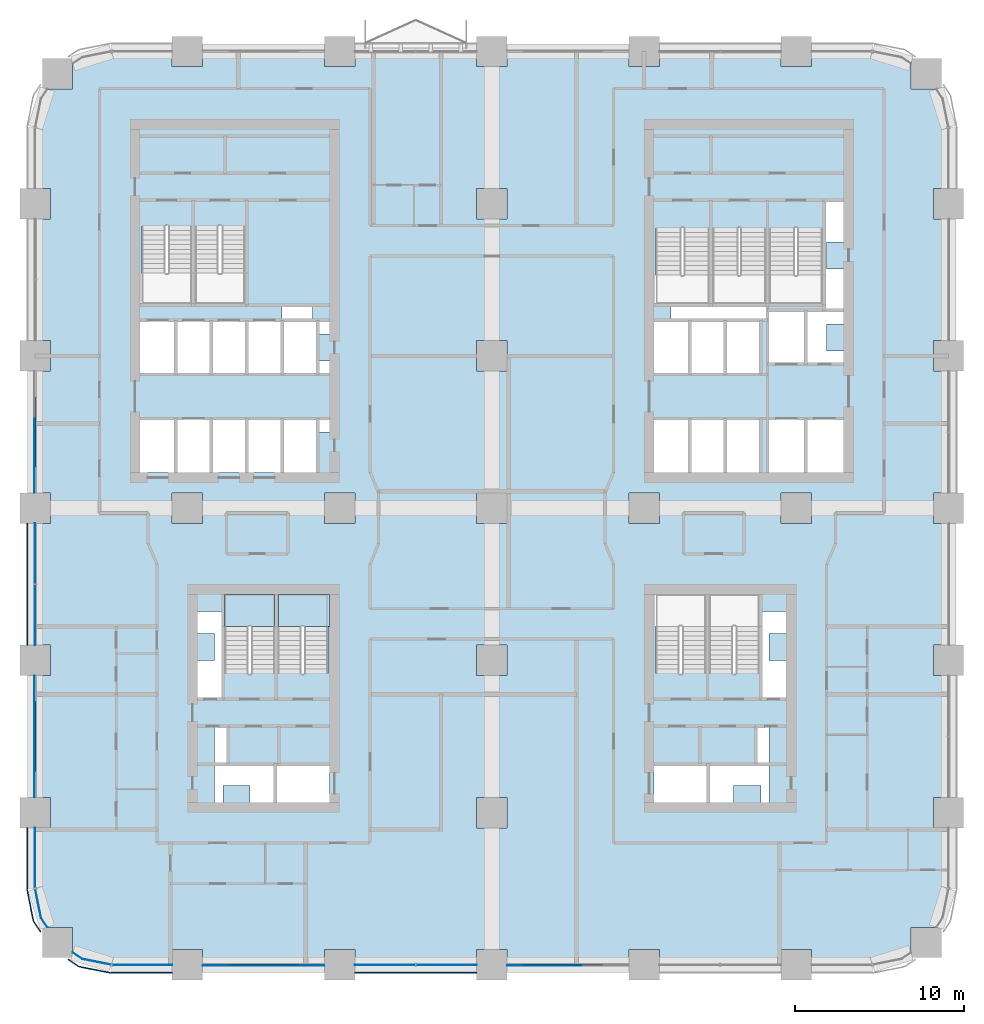
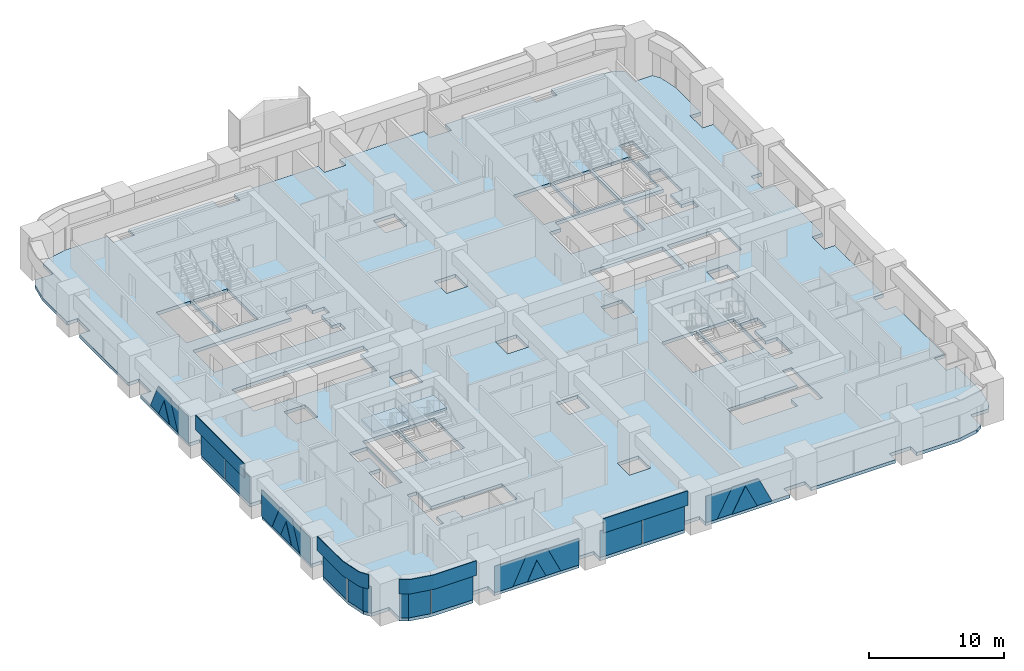
# One storey, part 10 of 23: 26 plates, 3 slabs, 10 elements without a shape of their own.
"""IFC4 building model written with IfcOpenShell, lengths in metres."""

import ifcopenshell
import ifcopenshell.guid

model = None  # the IFC model being written
_history = None  # IfcOwnerHistory: only IFC2X3 demands one
_inside = {}  # id of a spatial element -> (the spatial element, [elements in it])
_under = {}  # id of a project, library or spatial element -> (it, [spatial elements below it])
_declared = {}  # id of a project -> (the project, [libraries it declares])
_typed = {}  # id of a type object -> (the type object, [elements of that type])
_made_of = {}  # id of a material, layer set ... -> (it, [elements and type objects made of it])


def new_model(schema):
    """Start an empty IFC model of exactly this schema.

    Asked for "IFC4X3", IfcOpenShell would pick the latest addendum, in which some entities
    have other attributes; the version numbers below select the first issue.
    IFC2X3 requires an IfcOwnerHistory on every rooted entity: one is made here for all.
    """
    global model, _history
    if schema == "IFC4X3":
        model = ifcopenshell.file(schema_version=(4, 3, 0, 0))
    else:
        model = ifcopenshell.file(schema=schema)
    _inside.clear()
    _under.clear()
    _declared.clear()
    _typed.clear()
    _made_of.clear()
    _history = None
    if model.schema == "IFC2X3":
        org = make("IfcOrganization", Name="unknown")
        user = make(
            "IfcPersonAndOrganization",
            ThePerson=make("IfcPerson", FamilyName="unknown"),
            TheOrganization=org,
        )
        app = make(
            "IfcApplication",
            ApplicationDeveloper=org,
            Version="unknown",
            ApplicationFullName="unknown",
            ApplicationIdentifier="unknown",
        )
        _history = make(
            "IfcOwnerHistory",
            OwningUser=user,
            OwningApplication=app,
            ChangeAction="ADDED",
            CreationDate=0,
        )
    return model


def make(cls, **values):
    """One entity of the class cls with the attributes given. An attribute that is None is left unset."""
    return model.create_entity(
        cls, **{name: value for name, value in values.items() if value is not None}
    )


def rooted(cls, **values):
    """An entity with a GlobalId (a new one), such as an element, a storey or a relation."""
    return make(cls, GlobalId=ifcopenshell.guid.new(), OwnerHistory=_history, **values)


def si_unit(unit_type, name, prefix=None):
    """IfcSIUnit, for example si_unit("LENGTHUNIT", "METRE", prefix="MILLI")."""
    return make("IfcSIUnit", UnitType=unit_type, Prefix=prefix, Name=name)


def assignment(units):
    """IfcUnitAssignment: the units of a project."""
    return None if units is None else make("IfcUnitAssignment", Units=units)


def point(xyz):
    """IfcCartesianPoint."""
    return None if xyz is None else make("IfcCartesianPoint", Coordinates=xyz)


def direction(xyz):
    """IfcDirection."""
    return None if xyz is None else make("IfcDirection", DirectionRatios=xyz)


def frame(location, z_axis=None, x_axis=None):
    """IfcAxis2Placement3D, a coordinate frame: its origin and axes. An axis left out is left unset."""
    return make(
        "IfcAxis2Placement3D",
        Location=point(location),
        Axis=direction(z_axis),
        RefDirection=direction(x_axis),
    )


def frame_2d(location, x_axis=None):
    """IfcAxis2Placement2D, a coordinate frame in the plane: its origin and x axis."""
    return make(
        "IfcAxis2Placement2D", Location=point(location), RefDirection=direction(x_axis)
    )


def origin():
    """The frame at (0, 0, 0) with its axes left unset."""
    return frame((0.0, 0.0, 0.0))


def origin_2d():
    """The frame at (0, 0) in the plane with its x axis left unset."""
    return frame_2d((0.0, 0.0))


def place(relative_to, where):
    """IfcLocalPlacement: puts the frame where relative to a parent placement (None: the world)."""
    return make(
        "IfcLocalPlacement", PlacementRelTo=relative_to, RelativePlacement=where
    )


def context(
    kind, dimensions, precision=None, world=None, true_north=None, identifier=None
):
    """IfcGeometricRepresentationContext, for example the 3D "Model" context."""
    return make(
        "IfcGeometricRepresentationContext",
        ContextIdentifier=identifier,
        ContextType=kind,
        CoordinateSpaceDimension=dimensions,
        Precision=precision,
        WorldCoordinateSystem=world,
        TrueNorth=true_north,
    )


def subcontext(parent, identifier, kind, view, scale=None):
    """IfcGeometricRepresentationSubContext, for example "Body" below "Model"."""
    return make(
        "IfcGeometricRepresentationSubContext",
        ContextIdentifier=identifier,
        ContextType=kind,
        ParentContext=parent,
        TargetScale=scale,
        TargetView=view,
    )


def project(units=None, contexts=None):
    """IfcProject with its units and contexts."""
    return rooted(
        "IfcProject",
        Name="project",
        RepresentationContexts=contexts,
        UnitsInContext=assignment(units),
    )


def spatial(cls, under=None, at=None, **own):
    """A site, building, storey or space (cls), placed at a placement, below another one or the project."""
    s = rooted(cls, ObjectPlacement=at, **own)
    if under is not None:
        _under.setdefault(under.id(), (under, []))[1].append(s)
    return s


def polyline(points):
    """IfcPolyline through the points."""
    return make("IfcPolyline", Points=[point(p) for p in points])


def profile(cls, at=None, kind="AREA", **sizes):
    """A parametric profile (cls). Its sizes go by their IFC names, for example OverallWidth=200.0."""
    return make(cls, ProfileType=kind, Position=at, **sizes)


def rectangle(**sizes):
    """IfcRectangleProfileDef."""
    return profile("IfcRectangleProfileDef", **sizes)


def outline(outer, holes=None, kind="AREA"):
    """IfcArbitraryClosedProfileDef: a profile drawn as a closed curve; with holes, ...WithVoids."""
    if holes is None:
        return make("IfcArbitraryClosedProfileDef", ProfileType=kind, OuterCurve=outer)
    return make(
        "IfcArbitraryProfileDefWithVoids",
        ProfileType=kind,
        OuterCurve=outer,
        InnerCurves=holes,
    )


def extrude(swept, where, along, depth):
    """IfcExtrudedAreaSolid: the profile swept, set in the frame where, extruded along a direction by depth."""
    return make(
        "IfcExtrudedAreaSolid",
        SweptArea=swept,
        Position=where,
        ExtrudedDirection=direction(along),
        Depth=depth,
    )


def shape(context_of_items, identifier, shape_type, items):
    """IfcShapeRepresentation: the items that make up one representation, for example the "Body"."""
    return make(
        "IfcShapeRepresentation",
        ContextOfItems=context_of_items,
        RepresentationIdentifier=identifier,
        RepresentationType=shape_type,
        Items=items,
    )


def material(Name=None, Category=None):
    """IfcMaterial."""
    return make("IfcMaterial", Name=Name, Category=Category)


def layer(
    of_material, thickness, ventilated=None, Name=None, Category=None, Priority=None
):
    """IfcMaterialLayer: one layer of a wall or slab, of a material (None: an air gap)."""
    return make(
        "IfcMaterialLayer",
        Material=of_material,
        LayerThickness=thickness,
        IsVentilated=ventilated,
        Name=Name,
        Category=Category,
        Priority=Priority,
    )


def layer_set(layers, Name=None):
    """IfcMaterialLayerSet."""
    return make("IfcMaterialLayerSet", MaterialLayers=layers, LayerSetName=Name)


def made_of(thing, what):
    """Note that an element or type object is made of a material, layer set ...; save() writes the relation."""
    if what is not None:
        _made_of.setdefault(what.id(), (what, []))[1].append(thing)
    return thing


def type_object(cls, material=None, **own):
    """A type object (cls), such as IfcWallType, which elements share."""
    return made_of(rooted(cls, **own), material)


def element(
    cls,
    number,
    at=None,
    inside=None,
    cuts=None,
    type_object=None,
    material=None,
    context=None,
    identifier="Body",
    shape_type=None,
    held_by="IfcProductDefinitionShape",
    body=None,
    shapes=None,
    **own,
):
    """One element of the class cls, such as IfcWall. Its Tag is "e" and its number.

    at: its placement. inside: the storey or other place that contains it. cuts: it is an
    opening in that element (IfcRelVoidsElement). A single representation is given by context,
    identifier, shape_type and body (its items); several are given by shapes. held_by: the class
    of the entity that holds the representations. save() writes the other relations.
    """
    e = rooted(cls, Tag="e%d" % number, ObjectPlacement=at, **own)
    if body is not None:
        shapes = [shape(context, identifier, shape_type, body)]
    if shapes is not None:
        e.Representation = make(held_by, Representations=shapes)
    if inside is not None:
        _inside.setdefault(inside.id(), (inside, []))[1].append(e)
    if cuts is not None:
        rooted(
            "IfcRelVoidsElement", RelatingBuildingElement=cuts, RelatedOpeningElement=e
        )
    if type_object is not None:
        _typed.setdefault(type_object.id(), (type_object, []))[1].append(e)
    return made_of(e, material)


def aggregate(whole, parts):
    """IfcRelAggregates: a whole, such as a stair, and the parts it consists of."""
    return rooted("IfcRelAggregates", RelatingObject=whole, RelatedObjects=parts)


def save(model, path):
    """Write the relations noted so far, then the file.

    IfcRelAggregates (storeys below a building ...), IfcRelContainedInSpatialStructure (elements
    in a storey), IfcRelDefinesByType, IfcRelAssociatesMaterial and IfcRelDeclares: one each for
    every whole, place, type object, material and project.
    """
    for whole, parts in _under.values():
        aggregate(whole, parts)
    for where, things in _inside.values():
        rooted(
            "IfcRelContainedInSpatialStructure",
            RelatedElements=things,
            RelatingStructure=where,
        )
    for kind, things in _typed.values():
        rooted("IfcRelDefinesByType", RelatedObjects=things, RelatingType=kind)
    for what, things in _made_of.values():
        rooted("IfcRelAssociatesMaterial", RelatedObjects=things, RelatingMaterial=what)
    for by, libraries in _declared.values():
        rooted("IfcRelDeclares", RelatingContext=by, RelatedDefinitions=libraries)
    model.write(path)


model = new_model("IFC4")

# Units and contexts
model_context = context("Model", 3, precision=1e-05, world=origin(), true_north=direction((0.0, 1.0)))
body_context = subcontext(model_context, "Body", "Model", "MODEL_VIEW")
ifc_project = project(units=[si_unit("LENGTHUNIT", "METRE"), si_unit("AREAUNIT", "SQUARE_METRE"), si_unit("VOLUMEUNIT", "CUBIC_METRE"), si_unit("PLANEANGLEUNIT", "RADIAN"), si_unit("MASSUNIT", "GRAM", prefix="KILO")], contexts=[model_context])

# Site, building, storey
site_placement = place(None, origin())
site = spatial("IfcSite", under=ifc_project, at=site_placement, CompositionType="ELEMENT")
building_placement = place(site_placement, origin())
building = spatial("IfcBuilding", under=site, at=building_placement, Name="Tessera Arch", CompositionType="ELEMENT")
storey_placement = place(building_placement, frame((0.0, 0.0, 34.800048828125)))
storey = spatial("IfcBuildingStorey", under=building, at=storey_placement, Name="L06", CompositionType="ELEMENT", Elevation=34.800048828125)

# Curtain wall, plates
ifc_material_1 = material(Name="CW1 curtain wall")
curtain_wall_type_1 = type_object("IfcCurtainWallType", Name="CW1 curtain wall", PredefinedType="NOTDEFINED", material=ifc_material_1)
curtain_wall_1_placement = place(storey_placement, origin())
curtain_wall_1 = element("IfcCurtainWall", 1, at=curtain_wall_1_placement, inside=storey, type_object=curtain_wall_type_1, Name="CW1 curtain wall S0.0/1 L06", PredefinedType="NOTDEFINED")
ifc_material_2 = material(Name="Clear low-e glass", Category="glass")
ifc_material_3 = material(Name="Clear low-e glass", Category="glass")
ifc_layer_1 = layer(ifc_material_3, 0.028076171875)
ifc_layer_set_1 = layer_set([ifc_layer_1], Name="CW1 glass panel")
plate_type_1 = type_object("IfcPlateType", Name="CW1 glass panel", PredefinedType="CURTAIN_PANEL", material=ifc_layer_set_1)
plate_1_placement = place(storey_placement, frame((20.68505859375, 0.0, 0.0), z_axis=(0.0, 0.0, 1.0), x_axis=(1.0, 0.0, 0.0)))
plate_1 = element("IfcPlate", 2, at=plate_1_placement, type_object=plate_type_1, material=ifc_material_2, Name="CW1 glass panel S0.0/1 1.1.1", PredefinedType="CURTAIN_PANEL", context=body_context, shape_type="SweptSolid", body=[
    extrude(rectangle(XDim=3.570068359375, YDim=0.028076171875, at=origin_2d()), origin(), (0.0, 0.0, 1.0), 2.39990234375),
])
plate_2_placement = place(storey_placement, frame((24.31494140625, 0.0, 0.0), z_axis=(0.0, 0.0, 1.0), x_axis=(1.0, 0.0, 0.0)))
plate_2 = element("IfcPlate", 3, at=plate_2_placement, type_object=plate_type_1, material=ifc_material_2, Name="CW1 glass panel S0.0/1 1.2.1", PredefinedType="CURTAIN_PANEL", context=body_context, shape_type="SweptSolid", body=[
    extrude(rectangle(XDim=3.570068359375, YDim=0.028076171875, at=origin_2d()), origin(), (0.0, 0.0, 1.0), 2.39990234375),
])

curtain_wall_2_placement = place(storey_placement, origin())
curtain_wall_2 = element("IfcCurtainWall", 4, at=curtain_wall_2_placement, inside=storey, type_object=curtain_wall_type_1, Name="CW1 curtain wall W0.0/3 L06", PredefinedType="NOTDEFINED")
plate_3_placement = place(storey_placement, frame((0.0, 24.31494140625, 0.0), z_axis=(0.0, 0.0, 1.0), x_axis=(0.0, -1.0, 0.0)))
plate_3 = element("IfcPlate", 5, at=plate_3_placement, type_object=plate_type_1, material=ifc_material_2, Name="CW1 glass panel W0.0/3 1.1.1", PredefinedType="CURTAIN_PANEL", context=body_context, shape_type="SweptSolid", body=[
    extrude(rectangle(XDim=3.570068359375, YDim=0.028076171875, at=origin_2d()), origin(), (0.0, 0.0, 1.0), 2.39990234375),
])
plate_4_placement = place(storey_placement, frame((0.0, 20.68505859375, 0.0), z_axis=(0.0, 0.0, 1.0), x_axis=(0.0, -1.0, 0.0)))
plate_4 = element("IfcPlate", 6, at=plate_4_placement, type_object=plate_type_1, material=ifc_material_2, Name="CW1 glass panel W0.0/3 1.2.1", PredefinedType="CURTAIN_PANEL", context=body_context, shape_type="SweptSolid", body=[
    extrude(rectangle(XDim=3.570068359375, YDim=0.028076171875, at=origin_2d()), origin(), (0.0, 0.0, 1.0), 2.39990234375),
])

# Plate
ifc_material_4 = material(Name="Pale anodised aluminium panel", Category="aluminium")
ifc_layer_2 = layer(ifc_material_4, 0.06005859375)
ifc_layer_set_2 = layer_set([ifc_layer_2], Name="CW1 spandrel panel")
plate_type_2 = type_object("IfcPlateType", Name="CW1 spandrel panel", PredefinedType="CURTAIN_PANEL", material=ifc_layer_set_2)
plate_5_placement = place(storey_placement, frame((22.5, -0.47998046875, 2.5), z_axis=(0.0, 0.0, 1.0), x_axis=(1.0, 0.0, 0.0)))
plate_5 = element("IfcPlate", 7, at=plate_5_placement, type_object=plate_type_2, Name="CW1 spandrel panel S0.0/1", PredefinedType="CURTAIN_PANEL", context=body_context, shape_type="SweptSolid", body=[
    extrude(rectangle(XDim=7.199951171875, YDim=0.06005859375, at=origin_2d()), origin(), (0.0, 0.0, 1.0), 1.300048828125),
])

aggregate(curtain_wall_1, [plate_1, plate_2, plate_5])

plate_6_placement = place(storey_placement, frame((-0.47998046875, 22.5, 2.5), z_axis=(0.0, 0.0, 1.0), x_axis=(0.0, -1.0, 0.0)))
plate_6 = element("IfcPlate", 8, at=plate_6_placement, type_object=plate_type_2, Name="CW1 spandrel panel W0.0/3", PredefinedType="CURTAIN_PANEL", context=body_context, shape_type="SweptSolid", body=[
    extrude(rectangle(XDim=7.199951171875, YDim=0.06005859375, at=origin_2d()), origin(), (0.0, 0.0, 1.0), 1.300048828125),
])

aggregate(curtain_wall_2, [plate_3, plate_4, plate_6])

# Curtain wall, plates
ifc_material_5 = material(Name="CW2 curtain wall")
curtain_wall_type_2 = type_object("IfcCurtainWallType", Name="CW2 curtain wall", PredefinedType="NOTDEFINED", material=ifc_material_5)
curtain_wall_3_placement = place(storey_placement, origin())
curtain_wall_3 = element("IfcCurtainWall", 9, at=curtain_wall_3_placement, inside=storey, type_object=curtain_wall_type_2, Name="CW2 curtain wall W0.0/5 L06", PredefinedType="NOTDEFINED")
ifc_material_6 = material(Name="Clear low-e glass", Category="glass")
ifc_layer_3 = layer(ifc_material_6, 0.028076171875)
ifc_layer_set_3 = layer_set([ifc_layer_3], Name="CW2 glass panel")
plate_type_3 = type_object("IfcPlateType", Name="CW2 glass panel", PredefinedType="CURTAIN_PANEL", material=ifc_layer_set_3)
plate_7_placement = place(storey_placement, frame((0.0, 6.320068359375, 0.0), z_axis=(0.0, 0.0, 1.0), x_axis=(0.0, -1.0, 0.0)))
plate_7 = element("IfcPlate", 10, at=plate_7_placement, type_object=plate_type_3, material=ifc_material_2, Name="CW2 glass panel W0.0/5 1.1", PredefinedType="CURTAIN_PANEL", context=body_context, shape_type="SweptSolid", body=[
    extrude(rectangle(XDim=3.56005859375, YDim=0.028076171875, at=origin_2d()), origin(), (0.0, 0.0, 1.0), 2.39990234375),
])
plate_8_placement = place(storey_placement, origin())
plate_8 = element("IfcPlate", 11, at=plate_8_placement, type_object=plate_type_3, material=ifc_material_2, Name="CW2 curved glass panel W0.0/5 2.1", PredefinedType="CURTAIN_PANEL", context=body_context, shape_type="SweptSolid", body=[
    extrude(outline(polyline([(0.355712890625, 2.783447265625), (0.021484375, 4.46337890625), (-0.005859375, 4.4580078125), (0.329345703125, 2.7724609375), (0.705078125, 2.210205078125), (0.728271484375, 2.225830078125), (0.355712890625, 2.783447265625)])), origin(), (0.0, 0.0, 1.0), 2.39990234375),
])

curtain_wall_4_placement = place(storey_placement, origin())
curtain_wall_4 = element("IfcCurtainWall", 12, at=curtain_wall_4_placement, inside=storey, type_object=curtain_wall_type_2, Name="CW2 curtain wall S0.0/5 L06", PredefinedType="NOTDEFINED")
plate_9_placement = place(storey_placement, frame((6.320068359375, 0.0, 0.0), z_axis=(0.0, 0.0, 1.0), x_axis=(1.0, 0.0, 0.0)))
plate_9 = element("IfcPlate", 13, at=plate_9_placement, type_object=plate_type_3, material=ifc_material_2, Name="CW2 glass panel S0.0/5 1.1", PredefinedType="CURTAIN_PANEL", context=body_context, shape_type="SweptSolid", body=[
    extrude(rectangle(XDim=3.56005859375, YDim=0.028076171875, at=origin_2d()), origin(), (0.0, 0.0, 1.0), 2.39990234375),
])
plate_10_placement = place(storey_placement, origin())
plate_10 = element("IfcPlate", 14, at=plate_10_placement, type_object=plate_type_3, material=ifc_material_2, Name="CW2 curved glass panel S0.0/5 2.1", PredefinedType="CURTAIN_PANEL", context=body_context, shape_type="SweptSolid", body=[
    extrude(outline(polyline([(2.783447265625, 0.355712890625), (2.225830078125, 0.728271484375), (2.210205078125, 0.705078125), (2.7724609375, 0.329345703125), (4.4580078125, -0.005859375), (4.46337890625, 0.021484375), (2.783447265625, 0.355712890625)])), origin(), (0.0, 0.0, 1.0), 2.39990234375),
])

# Plate
ifc_material_7 = material(Name="Pale anodised aluminium panel", Category="aluminium")
ifc_layer_4 = layer(ifc_material_7, 0.06005859375)
ifc_layer_set_4 = layer_set([ifc_layer_4], Name="CW2 spandrel panel")
plate_type_4 = type_object("IfcPlateType", Name="CW2 spandrel panel", PredefinedType="CURTAIN_PANEL", material=ifc_layer_set_4)
plate_11_placement = place(storey_placement, frame((0.0, 0.0, 2.5)))
plate_11 = element("IfcPlate", 15, at=plate_11_placement, type_object=plate_type_4, Name="CW2 spandrel panel W0.0/5", PredefinedType="CURTAIN_PANEL", context=body_context, shape_type="SweptSolid", body=[
    extrude(outline(polyline([(-0.449951171875, 4.500732421875), (-0.449951171875, 8.10009765625), (-0.510009765625, 8.10009765625), (-0.510009765625, 4.499267578125), (-0.507568359375, 4.449951171875), (-0.500244140625, 4.401123046875), (-0.157470703125, 2.677734375), (-0.1455078125, 2.6298828125), (-0.128662109375, 2.582763671875), (-0.107177734375, 2.537353515625), (-0.08203125, 2.4951171875), (0.292724609375, 1.9345703125), (0.342529296875, 1.968017578125), (-0.03125, 2.52734375), (-0.05419921875, 2.565673828125), (-0.0732421875, 2.605712890625), (-0.088134765625, 2.647216796875), (-0.09912109375, 2.69091796875), (-0.441162109375, 4.411376953125), (-0.44775390625, 4.455810546875), (-0.449951171875, 4.500732421875)])), origin(), (0.0, 0.0, 1.0), 1.300048828125),
])

aggregate(curtain_wall_3, [plate_7, plate_8, plate_11])

plate_12_placement = place(storey_placement, frame((0.0, 0.0, 2.5)))
plate_12 = element("IfcPlate", 16, at=plate_12_placement, type_object=plate_type_4, Name="CW2 spandrel panel S0.0/5", PredefinedType="CURTAIN_PANEL", context=body_context, shape_type="SweptSolid", body=[
    extrude(outline(polyline([(2.52734375, -0.03125), (1.968017578125, 0.342529296875), (1.9345703125, 0.292724609375), (2.4951171875, -0.08203125), (2.537353515625, -0.107177734375), (2.582763671875, -0.128662109375), (2.6298828125, -0.1455078125), (2.677734375, -0.157470703125), (4.401123046875, -0.500244140625), (4.449951171875, -0.507568359375), (4.499267578125, -0.510009765625), (8.10009765625, -0.510009765625), (8.10009765625, -0.449951171875), (4.500732421875, -0.449951171875), (4.455810546875, -0.44775390625), (4.411376953125, -0.441162109375), (2.69091796875, -0.09912109375), (2.647216796875, -0.088134765625), (2.605712890625, -0.0732421875), (2.565673828125, -0.05419921875), (2.52734375, -0.03125)])), origin(), (0.0, 0.0, 1.0), 1.300048828125),
])

aggregate(curtain_wall_4, [plate_9, plate_10, plate_12])

# Curtain wall, plate
ifc_material_8 = material(Name="CW3 curtain wall")
curtain_wall_type_3 = type_object("IfcCurtainWallType", Name="CW3 curtain wall", PredefinedType="NOTDEFINED", material=ifc_material_8)
curtain_wall_5_placement = place(storey_placement, origin())
curtain_wall_5 = element("IfcCurtainWall", 17, at=curtain_wall_5_placement, inside=storey, type_object=curtain_wall_type_3, Name="CW3 curtain wall S0.0/0 L06", PredefinedType="NOTDEFINED")
ifc_material_9 = material(Name="Pale anodised aluminium panel", Category="aluminium")
ifc_layer_5 = layer(ifc_material_9, 0.06005859375)
ifc_layer_set_5 = layer_set([ifc_layer_5], Name="CW3 diagonal panel")
plate_type_5 = type_object("IfcPlateType", Name="CW3 diagonal panel", PredefinedType="CURTAIN_PANEL", material=ifc_layer_set_5)
plate_13_placement = place(storey_placement, frame((14.41259765625, -0.030029296875, 2.39990234375), z_axis=(0.0, -1.0, 0.0), x_axis=(-1.0, 0.0, 0.0)))
plate_13 = element("IfcPlate", 18, at=plate_13_placement, type_object=plate_type_5, Name="CW3 diagonal panel S0.0/0 1", PredefinedType="CURTAIN_PANEL", context=body_context, shape_type="SweptSolid", body=[
    extrude(outline(polyline([(0.0, 0.0), (1.8251953125, 0.0), (2.962158203125, 2.39990234375), (1.705078125, 2.39990234375), (0.91259765625, 0.726806640625), (0.1201171875, 2.39990234375), (-1.136962890625, 2.39990234375), (0.0, 0.0)])), origin(), (0.0, 0.0, -1.0), 0.06005859375),
])

curtain_wall_6_placement = place(storey_placement, origin())
curtain_wall_6 = element("IfcCurtainWall", 19, at=curtain_wall_6_placement, inside=storey, type_object=curtain_wall_type_3, Name="CW3 curtain wall S0.0/2 L06", PredefinedType="NOTDEFINED")
plate_14_placement = place(storey_placement, frame((32.41259765625, -0.030029296875, 2.39990234375), z_axis=(0.0, -1.0, 0.0), x_axis=(-1.0, 0.0, 0.0)))
plate_14 = element("IfcPlate", 20, at=plate_14_placement, type_object=plate_type_5, Name="CW3 diagonal panel S0.0/2 1", PredefinedType="CURTAIN_PANEL", context=body_context, shape_type="SweptSolid", body=[
    extrude(outline(polyline([(0.0, 0.0), (2.28662109375, 0.0), (3.554443359375, 2.39990234375), (2.26953125, 2.39990234375), (1.13623046875, 0.25439453125), (0.1201171875, 2.39990234375), (-1.136962890625, 2.39990234375), (0.0, 0.0)])), origin(), (0.0, 0.0, -1.0), 0.06005859375),
])

curtain_wall_7_placement = place(storey_placement, origin())
curtain_wall_7 = element("IfcCurtainWall", 21, at=curtain_wall_7_placement, inside=storey, type_object=curtain_wall_type_3, Name="CW3 curtain wall W0.0/2 L06", PredefinedType="NOTDEFINED")
plate_15_placement = place(storey_placement, frame((-0.030029296875, 30.58740234375, 2.39990234375), z_axis=(-1.0, 0.0, 0.0), x_axis=(0.0, 1.0, 0.0)))
plate_15 = element("IfcPlate", 22, at=plate_15_placement, type_object=plate_type_5, Name="CW3 diagonal panel W0.0/2 1", PredefinedType="CURTAIN_PANEL", context=body_context, shape_type="SweptSolid", body=[
    extrude(outline(polyline([(0.0, 0.0), (1.8251953125, 0.0), (2.962158203125, 2.39990234375), (1.705078125, 2.39990234375), (0.91259765625, 0.726806640625), (0.1201171875, 2.39990234375), (-1.136962890625, 2.39990234375), (0.0, 0.0)])), origin(), (0.0, 0.0, -1.0), 0.06005859375),
])

curtain_wall_8_placement = place(storey_placement, origin())
curtain_wall_8 = element("IfcCurtainWall", 23, at=curtain_wall_8_placement, inside=storey, type_object=curtain_wall_type_3, Name="CW3 curtain wall W0.0/4 L06", PredefinedType="NOTDEFINED")
plate_16_placement = place(storey_placement, frame((-0.030029296875, 12.58740234375, 2.39990234375), z_axis=(-1.0, 0.0, 0.0), x_axis=(0.0, 1.0, 0.0)))
plate_16 = element("IfcPlate", 24, at=plate_16_placement, type_object=plate_type_5, Name="CW3 diagonal panel W0.0/4 1", PredefinedType="CURTAIN_PANEL", context=body_context, shape_type="SweptSolid", body=[
    extrude(outline(polyline([(0.0, 0.0), (1.8251953125, 0.0), (2.962158203125, 2.39990234375), (1.705078125, 2.39990234375), (0.91259765625, 0.726806640625), (0.1201171875, 2.39990234375), (-1.136962890625, 2.39990234375), (0.0, 0.0)])), origin(), (0.0, 0.0, -1.0), 0.06005859375),
])

# Plate
ifc_material_10 = material(Name="Clear low-e glass", Category="glass")
ifc_layer_6 = layer(ifc_material_10, 0.028076171875)
ifc_layer_set_6 = layer_set([ifc_layer_6], Name="CW3 glass panel")
plate_type_6 = type_object("IfcPlateType", Name="CW3 glass panel", PredefinedType="CURTAIN_PANEL", material=ifc_layer_set_6)
plate_17_placement = place(storey_placement, frame((9.89990234375, -0.05810546875, 0.0), z_axis=(0.0, -1.0, 0.0), x_axis=(1.0, 0.0, 0.0)))
plate_17 = element("IfcPlate", 25, at=plate_17_placement, type_object=plate_type_6, material=ifc_material_2, Name="CW3 triangulated glass panel S0.0/0 1", PredefinedType="CURTAIN_PANEL", context=body_context, shape_type="SweptSolid", body=[
    extrude(outline(polyline([(0.0, 0.0), (1.550537109375, 0.0), (2.6875, 2.39990234375), (0.0, 2.39990234375), (0.0, 0.0)])), origin(), (0.0, 0.0, -1.0), 0.028076171875),
])

plate_18_placement = place(storey_placement, frame((12.70751953125, -0.05810546875, 0.0), z_axis=(0.0, -1.0, 0.0), x_axis=(1.0, 0.0, 0.0)))
plate_18 = element("IfcPlate", 26, at=plate_18_placement, type_object=plate_type_6, material=ifc_material_2, Name="CW3 triangulated glass panel S0.0/0 2", PredefinedType="CURTAIN_PANEL", context=body_context, shape_type="SweptSolid", body=[
    extrude(outline(polyline([(0.0, 0.0), (1.5849609375, 0.0), (0.79248046875, 1.673095703125), (0.0, 0.0)])), origin(), (0.0, 0.0, -1.0), 0.028076171875),
])

plate_19_placement = place(storey_placement, frame((17.10009765625, -0.05810546875, 2.39990234375), z_axis=(0.0, -1.0, 0.0), x_axis=(-1.0, 0.0, 0.0)))
plate_19 = element("IfcPlate", 27, at=plate_19_placement, type_object=plate_type_6, material=ifc_material_2, Name="CW3 triangulated glass panel S0.0/0 3", PredefinedType="CURTAIN_PANEL", context=body_context, shape_type="SweptSolid", body=[
    extrude(outline(polyline([(0.0, 0.0), (2.6875, 0.0), (1.550537109375, 2.39990234375), (0.0, 2.39990234375), (0.0, 0.0)])), origin(), (0.0, 0.0, -1.0), 0.028076171875),
])

aggregate(curtain_wall_5, [plate_17, plate_18, plate_19, plate_13])

plate_20_placement = place(storey_placement, frame((27.89990234375, -0.05810546875, 0.0), z_axis=(0.0, -1.0, 0.0), x_axis=(1.0, 0.0, 0.0)))
plate_20 = element("IfcPlate", 28, at=plate_20_placement, type_object=plate_type_6, material=ifc_material_2, Name="CW3 triangulated glass panel S0.0/2 1", PredefinedType="CURTAIN_PANEL", context=body_context, shape_type="SweptSolid", body=[
    extrude(outline(polyline([(0.0, 0.0), (0.958251953125, 0.0), (2.22607421875, 2.39990234375), (0.0, 2.39990234375), (0.0, 0.0)])), origin(), (0.0, 0.0, -1.0), 0.028076171875),
])

plate_21_placement = place(storey_placement, frame((30.14306640625, -0.05810546875, 0.0), z_axis=(0.0, -1.0, 0.0), x_axis=(1.0, 0.0, 0.0)))
plate_21 = element("IfcPlate", 29, at=plate_21_placement, type_object=plate_type_6, material=ifc_material_2, Name="CW3 triangulated glass panel S0.0/2 2", PredefinedType="CURTAIN_PANEL", context=body_context, shape_type="SweptSolid", body=[
    extrude(outline(polyline([(0.0, 0.0), (2.1494140625, 0.0), (1.13330078125, 2.1455078125), (0.0, 0.0)])), origin(), (0.0, 0.0, -1.0), 0.028076171875),
])

aggregate(curtain_wall_6, [plate_20, plate_21, plate_14])

plate_22_placement = place(storey_placement, frame((-0.05810546875, 32.29248046875, 0.0), z_axis=(-1.0, 0.0, 0.0), x_axis=(0.0, -1.0, 0.0)))
plate_22 = element("IfcPlate", 30, at=plate_22_placement, type_object=plate_type_6, material=ifc_material_2, Name="CW3 triangulated glass panel W0.0/2 2", PredefinedType="CURTAIN_PANEL", context=body_context, shape_type="SweptSolid", body=[
    extrude(outline(polyline([(0.0, 0.0), (1.5849609375, 0.0), (0.79248046875, 1.673095703125), (0.0, 0.0)])), origin(), (0.0, 0.0, -1.0), 0.028076171875),
])

plate_23_placement = place(storey_placement, frame((-0.05810546875, 27.89990234375, 2.39990234375), z_axis=(-1.0, 0.0, 0.0), x_axis=(0.0, 1.0, 0.0)))
plate_23 = element("IfcPlate", 31, at=plate_23_placement, type_object=plate_type_6, material=ifc_material_2, Name="CW3 triangulated glass panel W0.0/2 3", PredefinedType="CURTAIN_PANEL", context=body_context, shape_type="SweptSolid", body=[
    extrude(outline(polyline([(0.0, 0.0), (2.6875, 0.0), (1.550537109375, 2.39990234375), (0.0, 2.39990234375), (0.0, 0.0)])), origin(), (0.0, 0.0, -1.0), 0.028076171875),
])

aggregate(curtain_wall_7, [plate_22, plate_23, plate_15])

plate_24_placement = place(storey_placement, frame((-0.05810546875, 17.10009765625, 0.0), z_axis=(-1.0, 0.0, 0.0), x_axis=(0.0, -1.0, 0.0)))
plate_24 = element("IfcPlate", 32, at=plate_24_placement, type_object=plate_type_6, material=ifc_material_2, Name="CW3 triangulated glass panel W0.0/4 1", PredefinedType="CURTAIN_PANEL", context=body_context, shape_type="SweptSolid", body=[
    extrude(outline(polyline([(0.0, 0.0), (1.550537109375, 0.0), (2.6875, 2.39990234375), (0.0, 2.39990234375), (0.0, 0.0)])), origin(), (0.0, 0.0, -1.0), 0.028076171875),
])

plate_25_placement = place(storey_placement, frame((-0.05810546875, 14.29248046875, 0.0), z_axis=(-1.0, 0.0, 0.0), x_axis=(0.0, -1.0, 0.0)))
plate_25 = element("IfcPlate", 33, at=plate_25_placement, type_object=plate_type_6, material=ifc_material_2, Name="CW3 triangulated glass panel W0.0/4 2", PredefinedType="CURTAIN_PANEL", context=body_context, shape_type="SweptSolid", body=[
    extrude(outline(polyline([(0.0, 0.0), (1.5849609375, 0.0), (0.79248046875, 1.673095703125), (0.0, 0.0)])), origin(), (0.0, 0.0, -1.0), 0.028076171875),
])

plate_26_placement = place(storey_placement, frame((-0.05810546875, 9.89990234375, 2.39990234375), z_axis=(-1.0, 0.0, 0.0), x_axis=(0.0, 1.0, 0.0)))
plate_26 = element("IfcPlate", 34, at=plate_26_placement, type_object=plate_type_6, material=ifc_material_2, Name="CW3 triangulated glass panel W0.0/4 3", PredefinedType="CURTAIN_PANEL", context=body_context, shape_type="SweptSolid", body=[
    extrude(outline(polyline([(0.0, 0.0), (2.6875, 0.0), (1.550537109375, 2.39990234375), (0.0, 2.39990234375), (0.0, 0.0)])), origin(), (0.0, 0.0, -1.0), 0.028076171875),
])

aggregate(curtain_wall_8, [plate_24, plate_25, plate_26, plate_16])

# Slab
ifc_material_11 = material(Name="Concrete C40/50", Category="concrete")
ifc_layer_7 = layer(ifc_material_11, 0.300048828125)
ifc_layer_set_7 = layer_set([ifc_layer_7], Name="Floor slab 300 Concrete C40/50")
slab_type_1 = type_object("IfcSlabType", Name="Floor slab 300 Concrete C40/50", PredefinedType="FLOOR", material=ifc_layer_set_7)
slab_1_placement = place(storey_placement, frame((0.0, 0.0, -0.300048828125)))
element("IfcSlab", 35, at=slab_1_placement, inside=storey, type_object=slab_type_1, Name="Floor slab L06 1", PredefinedType="FLOOR", context=body_context, shape_type="SweptSolid", body=[
    extrude(outline(polyline([(4.5, 0.0), (2.77783203125, 0.342529296875), (2.218017578125, 0.716552734375), (2.218017578125, 2.218017578125), (0.716552734375, 2.218017578125), (0.342529296875, 2.77783203125), (0.0, 4.5), (0.0, 8.10009765625), (0.89990234375, 8.10009765625), (0.89990234375, 9.89990234375), (0.0, 9.89990234375), (0.0, 17.10009765625), (0.89990234375, 17.10009765625), (0.89990234375, 18.89990234375), (0.0, 18.89990234375), (0.0, 26.10009765625), (0.89990234375, 26.10009765625), (0.89990234375, 27.89990234375), (0.0, 27.89990234375), (0.0, 35.10009765625), (0.89990234375, 35.10009765625), (0.89990234375, 36.89990234375), (0.0, 36.89990234375), (0.0, 44.10009765625), (0.89990234375, 44.10009765625), (0.89990234375, 45.89990234375), (0.0, 45.89990234375), (0.0, 49.5), (0.342529296875, 51.22216796875), (0.716552734375, 51.781982421875), (2.218017578125, 51.781982421875), (2.218017578125, 53.283447265625), (2.77783203125, 53.657470703125), (4.5, 54.0), (8.10009765625, 54.0), (8.10009765625, 53.10009765625), (9.89990234375, 53.10009765625), (9.89990234375, 54.0), (17.10009765625, 54.0), (17.10009765625, 53.10009765625), (18.89990234375, 53.10009765625), (18.89990234375, 54.0), (26.10009765625, 54.0), (26.10009765625, 53.10009765625), (27.89990234375, 53.10009765625), (27.89990234375, 54.0), (35.10009765625, 54.0), (35.10009765625, 53.10009765625), (36.89990234375, 53.10009765625), (36.89990234375, 54.0), (44.10009765625, 54.0), (44.10009765625, 53.10009765625), (45.89990234375, 53.10009765625), (45.89990234375, 54.0), (49.5, 54.0), (51.22216796875, 53.657470703125), (51.781982421875, 53.283447265625), (51.781982421875, 51.781982421875), (53.283447265625, 51.781982421875), (53.657470703125, 51.22216796875), (54.0, 49.5), (54.0, 45.89990234375), (53.10009765625, 45.89990234375), (53.10009765625, 44.10009765625), (54.0, 44.10009765625), (54.0, 36.89990234375), (53.10009765625, 36.89990234375), (53.10009765625, 35.10009765625), (54.0, 35.10009765625), (54.0, 27.89990234375), (53.10009765625, 27.89990234375), (53.10009765625, 26.10009765625), (54.0, 26.10009765625), (54.0, 18.89990234375), (53.10009765625, 18.89990234375), (53.10009765625, 17.10009765625), (54.0, 17.10009765625), (54.0, 9.89990234375), (53.10009765625, 9.89990234375), (53.10009765625, 8.10009765625), (54.0, 8.10009765625), (54.0, 4.5), (53.657470703125, 2.77783203125), (53.283447265625, 2.218017578125), (51.781982421875, 2.218017578125), (51.781982421875, 0.716552734375), (51.22216796875, 0.342529296875), (49.5, 0.0), (45.89990234375, 0.0), (45.89990234375, 0.89990234375), (44.10009765625, 0.89990234375), (44.10009765625, 0.0), (36.89990234375, 0.0), (36.89990234375, 0.89990234375), (35.10009765625, 0.89990234375), (35.10009765625, 0.0), (27.89990234375, 0.0), (27.89990234375, 0.89990234375), (26.10009765625, 0.89990234375), (26.10009765625, 0.0), (18.89990234375, 0.0), (18.89990234375, 0.89990234375), (17.10009765625, 0.89990234375), (17.10009765625, 0.0), (9.89990234375, 0.0), (9.89990234375, 0.89990234375), (8.10009765625, 0.89990234375), (8.10009765625, 0.0), (4.5, 0.0)]), holes=[polyline([(11.10009765625, 9.60009765625), (11.10009765625, 10.60009765625), (12.699951171875, 10.60009765625), (12.699951171875, 9.60009765625), (14.199951171875, 9.60009765625), (17.39990234375, 9.60009765625), (17.39990234375, 11.85009765625), (14.199951171875, 11.85009765625), (14.199951171875, 11.89990234375), (11.39990234375, 11.89990234375), (11.39990234375, 14.10009765625), (10.60009765625, 14.10009765625), (10.60009765625, 11.89990234375), (10.60009765625, 9.60009765625), (11.10009765625, 9.60009765625)]), polyline([(9.60009765625, 19.60009765625), (10.60009765625, 19.60009765625), (10.60009765625, 18.0), (9.60009765625, 18.0), (9.60009765625, 15.699951171875), (11.10009765625, 15.699951171875), (11.10009765625, 20.89990234375), (9.60009765625, 20.89990234375), (9.60009765625, 19.60009765625)]), polyline([(12.60009765625, 17.2099609375), (12.60009765625, 17.199951171875), (12.75, 17.199951171875), (12.75, 17.2099609375), (14.14990234375, 17.2099609375), (14.14990234375, 21.699951171875), (11.199951171875, 21.699951171875), (11.199951171875, 17.2099609375), (12.60009765625, 17.2099609375)]), polyline([(8.10009765625, 26.10009765625), (9.89990234375, 26.10009765625), (9.89990234375, 27.89990234375), (8.10009765625, 27.89990234375), (8.10009765625, 26.10009765625)]), polyline([(12.5, 29.10009765625), (14.60009765625, 29.10009765625), (16.699951171875, 29.10009765625), (16.699951171875, 31.5), (17.39990234375, 31.5), (17.39990234375, 32.300048828125), (16.699951171875, 32.300048828125), (14.60009765625, 32.300048828125), (12.5, 32.300048828125), (10.39990234375, 32.300048828125), (8.300048828125, 32.300048828125), (6.199951171875, 32.300048828125), (6.199951171875, 29.10009765625), (8.300048828125, 29.10009765625), (10.39990234375, 29.10009765625), (12.5, 29.10009765625)]), polyline([(10.39990234375, 38.10009765625), (8.300048828125, 38.10009765625), (6.199951171875, 38.10009765625), (6.199951171875, 34.89990234375), (8.300048828125, 34.89990234375), (10.39990234375, 34.89990234375), (12.5, 34.89990234375), (14.60009765625, 34.89990234375), (16.699951171875, 34.89990234375), (17.39990234375, 34.89990234375), (17.39990234375, 35.699951171875), (16.699951171875, 35.699951171875), (16.699951171875, 37.300048828125), (17.39990234375, 37.300048828125), (17.39990234375, 38.10009765625), (16.699951171875, 38.10009765625), (16.39990234375, 38.10009765625), (16.39990234375, 39.0), (14.60009765625, 39.0), (14.60009765625, 38.10009765625), (12.5, 38.10009765625), (10.39990234375, 38.10009765625)]), polyline([(11.0, 43.699951171875), (10.85009765625, 43.699951171875), (10.85009765625, 43.68994140625), (9.449951171875, 43.68994140625), (9.449951171875, 39.199951171875), (12.39990234375, 39.199951171875), (12.39990234375, 43.68994140625), (11.0, 43.68994140625), (11.0, 43.699951171875)]), polyline([(7.85009765625, 43.699951171875), (7.699951171875, 43.699951171875), (7.699951171875, 43.68994140625), (6.300048828125, 43.68994140625), (6.300048828125, 39.199951171875), (9.25, 39.199951171875), (9.25, 43.68994140625), (7.85009765625, 43.68994140625), (7.85009765625, 43.699951171875)]), polyline([(26.10009765625, 8.10009765625), (27.89990234375, 8.10009765625), (27.89990234375, 9.89990234375), (26.10009765625, 9.89990234375), (26.10009765625, 8.10009765625)]), polyline([(39.800048828125, 9.60009765625), (41.300048828125, 9.60009765625), (41.300048828125, 10.60009765625), (42.89990234375, 10.60009765625), (42.89990234375, 9.60009765625), (43.39990234375, 9.60009765625), (43.39990234375, 11.89990234375), (43.39990234375, 14.10009765625), (42.60009765625, 14.10009765625), (42.60009765625, 11.89990234375), (39.800048828125, 11.89990234375), (39.800048828125, 11.85009765625), (36.60009765625, 11.85009765625), (36.60009765625, 9.60009765625), (39.800048828125, 9.60009765625)]), polyline([(26.10009765625, 18.89990234375), (26.10009765625, 17.10009765625), (27.89990234375, 17.10009765625), (27.89990234375, 18.89990234375), (26.10009765625, 18.89990234375)]), polyline([(15.75, 17.199951171875), (15.89990234375, 17.199951171875), (15.89990234375, 17.2099609375), (17.300048828125, 17.2099609375), (17.300048828125, 21.699951171875), (14.35009765625, 21.699951171875), (14.35009765625, 17.2099609375), (15.75, 17.2099609375), (15.75, 17.199951171875)]), polyline([(38.10009765625, 17.199951171875), (38.25, 17.199951171875), (38.25, 17.2099609375), (39.64990234375, 17.2099609375), (39.64990234375, 21.699951171875), (36.699951171875, 21.699951171875), (36.699951171875, 17.2099609375), (38.10009765625, 17.2099609375), (38.10009765625, 17.199951171875)]), polyline([(17.10009765625, 26.10009765625), (18.89990234375, 26.10009765625), (18.89990234375, 27.89990234375), (17.10009765625, 27.89990234375), (17.10009765625, 26.10009765625)]), polyline([(26.10009765625, 27.89990234375), (26.10009765625, 26.10009765625), (27.89990234375, 26.10009765625), (27.89990234375, 27.89990234375), (26.10009765625, 27.89990234375)]), polyline([(35.10009765625, 27.89990234375), (35.10009765625, 26.10009765625), (36.89990234375, 26.10009765625), (36.89990234375, 27.89990234375), (35.10009765625, 27.89990234375)]), polyline([(36.60009765625, 32.300048828125), (36.60009765625, 29.10009765625), (38.699951171875, 29.10009765625), (40.800048828125, 29.10009765625), (42.89990234375, 29.10009765625), (42.89990234375, 32.300048828125), (40.800048828125, 32.300048828125), (38.699951171875, 32.300048828125), (36.60009765625, 32.300048828125)]), polyline([(26.10009765625, 35.10009765625), (27.89990234375, 35.10009765625), (27.89990234375, 36.89990234375), (26.10009765625, 36.89990234375), (26.10009765625, 35.10009765625)]), polyline([(38.699951171875, 34.89990234375), (40.800048828125, 34.89990234375), (42.89990234375, 34.89990234375), (42.89990234375, 38.10009765625), (43.300048828125, 38.10009765625), (43.300048828125, 35.5), (45.550048828125, 35.5), (47.800048828125, 35.5), (47.800048828125, 36.300048828125), (46.800048828125, 36.300048828125), (46.800048828125, 37.89990234375), (47.800048828125, 37.89990234375), (47.800048828125, 38.699951171875), (47.800048828125, 41.14990234375), (46.800048828125, 41.14990234375), (46.800048828125, 42.75), (47.800048828125, 42.75), (47.800048828125, 45.199951171875), (46.64990234375, 45.199951171875), (46.64990234375, 38.699951171875), (45.550048828125, 38.699951171875), (43.300048828125, 38.699951171875), (43.300048828125, 39.0), (37.60009765625, 39.0), (37.60009765625, 38.10009765625), (36.60009765625, 38.10009765625), (36.60009765625, 34.89990234375), (38.699951171875, 34.89990234375)]), polyline([(38.330078125, 43.580078125), (38.219970703125, 43.580078125), (38.219970703125, 43.570068359375), (36.699951171875, 43.570068359375), (36.699951171875, 39.199951171875), (39.85009765625, 39.199951171875), (39.85009765625, 43.570068359375), (38.330078125, 43.570068359375), (38.330078125, 43.580078125)]), polyline([(26.10009765625, 44.10009765625), (27.89990234375, 44.10009765625), (27.89990234375, 45.89990234375), (26.10009765625, 45.89990234375), (26.10009765625, 44.10009765625)]), polyline([(42.89990234375, 15.699951171875), (44.39990234375, 15.699951171875), (44.39990234375, 18.0), (43.39990234375, 18.0), (43.39990234375, 19.60009765625), (44.39990234375, 19.60009765625), (44.39990234375, 20.89990234375), (42.89990234375, 20.89990234375), (42.89990234375, 15.699951171875)]), polyline([(41.25, 17.199951171875), (41.39990234375, 17.199951171875), (41.39990234375, 17.2099609375), (42.800048828125, 17.2099609375), (42.800048828125, 21.699951171875), (39.85009765625, 21.699951171875), (39.85009765625, 17.2099609375), (41.25, 17.2099609375), (41.25, 17.199951171875)]), polyline([(44.10009765625, 26.10009765625), (45.89990234375, 26.10009765625), (45.89990234375, 27.89990234375), (44.10009765625, 27.89990234375), (44.10009765625, 26.10009765625)]), polyline([(45.550048828125, 29.10009765625), (47.800048828125, 29.10009765625), (47.800048828125, 32.300048828125), (45.550048828125, 32.300048828125), (43.300048828125, 32.300048828125), (43.300048828125, 29.10009765625), (45.550048828125, 29.10009765625)]), polyline([(45.030029296875, 43.570068359375), (45.030029296875, 43.580078125), (44.919921875, 43.580078125), (44.919921875, 43.570068359375), (43.39990234375, 43.570068359375), (43.39990234375, 39.199951171875), (46.550048828125, 39.199951171875), (46.550048828125, 43.570068359375), (45.030029296875, 43.570068359375)]), polyline([(41.679931640625, 43.580078125), (41.570068359375, 43.580078125), (41.570068359375, 43.570068359375), (40.050048828125, 43.570068359375), (40.050048828125, 39.199951171875), (43.199951171875, 39.199951171875), (43.199951171875, 43.570068359375), (41.679931640625, 43.570068359375), (41.679931640625, 43.580078125)])]), origin(), (0.0, 0.0, 1.0), 0.300048828125),
])

# Stair, slab
ifc_material_12 = material(Name="Concrete C40/50", Category="concrete")
stair_type = type_object("IfcStairType", Name="Dogleg stair 1400", PredefinedType="HALF_TURN_STAIR", material=ifc_material_12)
stair_1_placement = place(storey_placement, origin())
stair_1 = element("IfcStair", 36, at=stair_1_placement, inside=storey, type_object=stair_type, Name="L06 S4a", PredefinedType="HALF_TURN_STAIR")
ifc_material_13 = material(Name="Concrete C40/50", Category="concrete")
ifc_layer_8 = layer(ifc_material_13, 0.300048828125)
ifc_layer_set_8 = layer_set([ifc_layer_8], Name="Stair landing 300")
slab_type_2 = type_object("IfcSlabType", Name="Stair landing 300", PredefinedType="LANDING", material=ifc_layer_set_8)
slab_2_placement = place(storey_placement, frame((0.0, 0.0, 1.699951171875)))
slab_2 = element("IfcSlab", 37, at=slab_2_placement, type_object=slab_type_2, Name="S4a landing 1", PredefinedType="LANDING", context=body_context, shape_type="SweptSolid", body=[
    extrude(outline(polyline([(17.39990234375, 20.0), (17.39990234375, 21.89990234375), (14.35009765625, 21.89990234375), (14.35009765625, 20.0), (17.39990234375, 20.0)])), origin(), (0.0, 0.0, 1.0), 0.199951171875),
])
aggregate(stair_1, [slab_2])

stair_2_placement = place(storey_placement, origin())
stair_2 = element("IfcStair", 38, at=stair_2_placement, inside=storey, type_object=stair_type, Name="L06 S4b", PredefinedType="HALF_TURN_STAIR")
slab_3_placement = place(storey_placement, frame((0.0, 0.0, 1.699951171875)))
slab_3 = element("IfcSlab", 39, at=slab_3_placement, type_object=slab_type_2, Name="S4b landing 1", PredefinedType="LANDING", context=body_context, shape_type="SweptSolid", body=[
    extrude(outline(polyline([(14.14990234375, 20.0), (14.14990234375, 21.89990234375), (11.199951171875, 21.89990234375), (11.199951171875, 20.0), (14.14990234375, 20.0)])), origin(), (0.0, 0.0, 1.0), 0.199951171875),
])
aggregate(stair_2, [slab_3])

save(model, "model.ifc")
